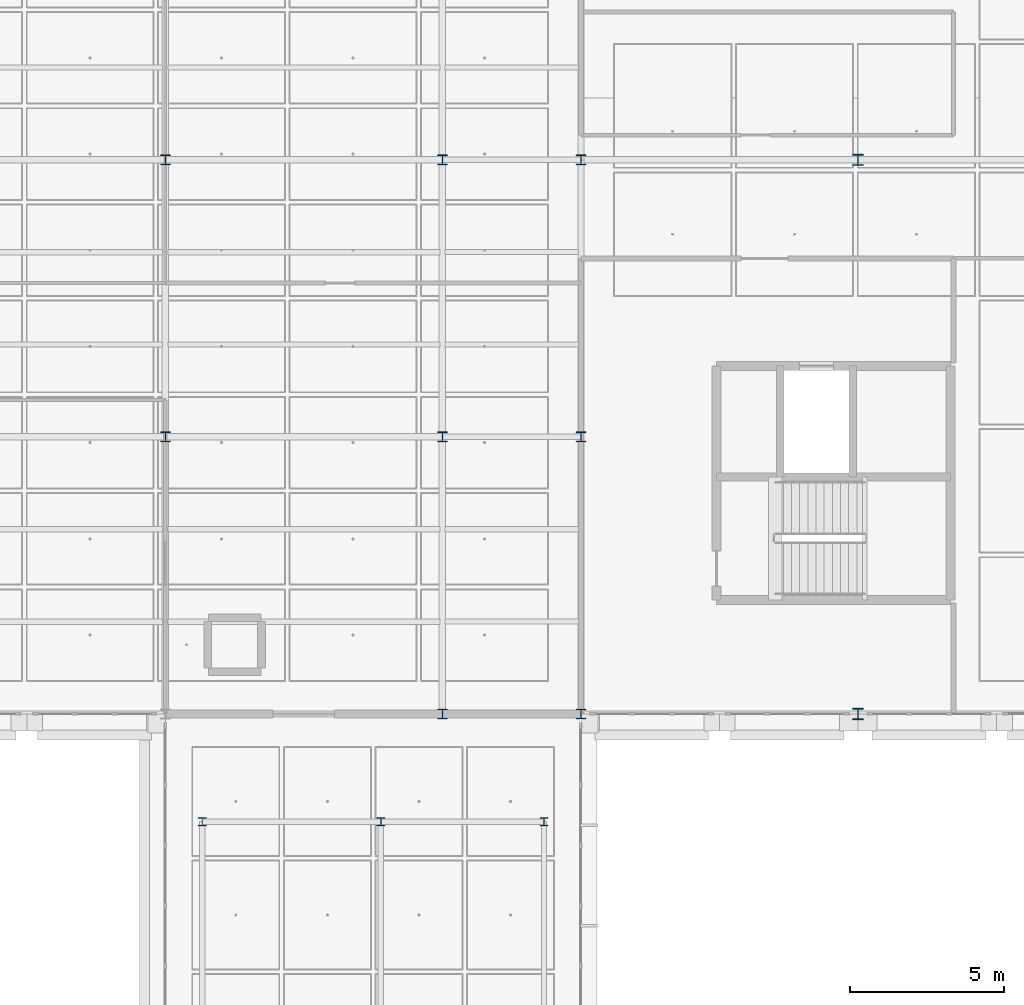
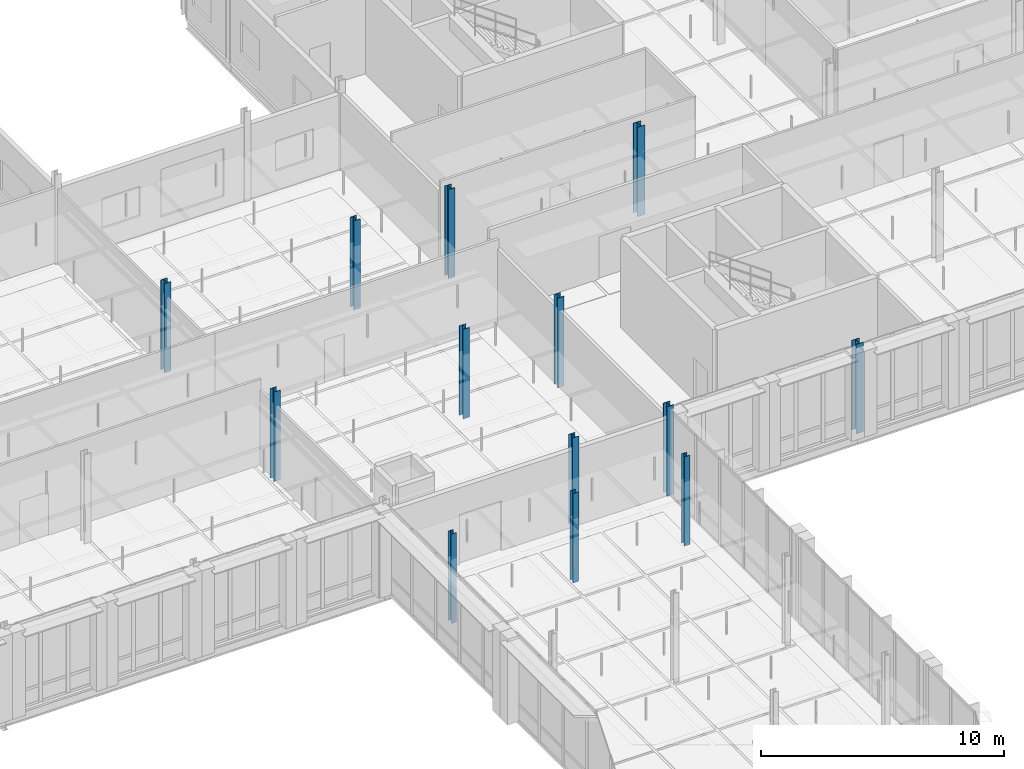
# One storey, part 16 of 130: 13 columns.
"""IFC4 building model written with IfcOpenShell, lengths in metres."""

from ifc_helpers import new_model, si_unit, direction, frame, origin, origin_2d, place, context, subcontext, project, spatial, i_section, extrude, material, material_profile, profile_set, type_object, element, save


model = new_model("IFC4")

# Units and contexts
model_context = context("Model", 3, precision=1e-05, world=origin(), true_north=direction((0.0, 1.0)))
body_context = subcontext(model_context, "Body", "Model", "MODEL_VIEW")
ifc_project = project(units=[si_unit("LENGTHUNIT", "METRE"), si_unit("AREAUNIT", "SQUARE_METRE"), si_unit("VOLUMEUNIT", "CUBIC_METRE"), si_unit("PLANEANGLEUNIT", "RADIAN"), si_unit("MASSUNIT", "GRAM", prefix="KILO"), si_unit("THERMODYNAMICTEMPERATUREUNIT", "KELVIN"), si_unit("POWERUNIT", "WATT")], contexts=[model_context])

# Site, building, storey
site_placement = place(None, origin())
site = spatial("IfcSite", under=ifc_project, at=site_placement, CompositionType="ELEMENT")
building_placement = place(site_placement, origin())
building = spatial("IfcBuilding", under=site, at=building_placement, Name="Tallowbark Science Centre", CompositionType="ELEMENT")
storey_placement = place(building_placement, frame((0.0, 0.0, 5.39990234375)))
storey = spatial("IfcBuildingStorey", under=building, at=storey_placement, Name="L01", CompositionType="ELEMENT", Elevation=5.39990234375)

# Columns
ifc_material = material(Name="Structural Steel Grade 300PLUS (300 MPa)", Category="steel")
ifc_material_profile_1 = material_profile(ifc_material, i_section(OverallWidth=0.256103515625, OverallDepth=0.260009765625, WebThickness=0.010498046875, FlangeThickness=0.017333984375, FilletRadius=0.013916015625, at=origin_2d()), Name="250UC89.5")
ifc_profile_set_1 = profile_set([ifc_material_profile_1], Name="Structural Steel Grade 300PLUS (300 MPa)")
column_type_1 = type_object("IfcColumnType", Name="COL-UC250A", PredefinedType="COLUMN", material=ifc_profile_set_1)
for number, where, z_axis, x_axis, name in (
    (1, (100.199951171875, 68.5, 0.0), (0.0, 0.0, 1.0), (1.0, 0.0, 0.0), "Column LNK-0_3 L01"),
    (2, (106.0, 68.5, 0.0), (0.0, 0.0, 1.0), (1.0, 0.0, 0.0), "Column LNK-1_3 L01"),
    (3, (111.300048828125, 68.5, 0.0), (0.0, 0.0, 1.0), (1.0, 0.0, 0.0), "Column LNK-2_3 L01"),
):
    element("IfcColumn", number, at=place(storey_placement, frame(where, z_axis=z_axis, x_axis=x_axis)), inside=storey, type_object=column_type_1, Name=name, PredefinedType="COLUMN", context=body_context, shape_type="SweptSolid", body=[
        extrude(i_section(OverallWidth=0.256103515625, OverallDepth=0.260009765625, WebThickness=0.010498046875, FlangeThickness=0.017333984375, FilletRadius=0.013916015625, at=origin_2d()), origin(), (0.0, 0.0, 1.0), 4.5),
    ])
ifc_material_profile_2 = material_profile(ifc_material, i_section(OverallWidth=0.30908203125, OverallDepth=0.320556640625, WebThickness=0.013916015625, FlangeThickness=0.021728515625, FilletRadius=0.0166015625, at=origin_2d()), Name="310UC137")
ifc_profile_set_2 = profile_set([ifc_material_profile_2], Name="Structural Steel Grade 300PLUS (300 MPa)")
column_type_2 = type_object("IfcColumnType", Name="COL-UC310B", PredefinedType="COLUMN", material=ifc_profile_set_2)
for number, where, z_axis, x_axis, name in (
    (4, (99.0, 81.0, 0.0), (0.0, 0.0, 1.0), (1.0, 0.0, 0.0), "Column LAB-6_1 L01"),
    (5, (99.0, 90.0, 0.0), (0.0, 0.0, 1.0), (1.0, 0.0, 0.0), "Column LAB-6_2 L01"),
    (6, (108.0, 72.0, 0.0), (0.0, 0.0, 1.0), (1.0, 0.0, 0.0), "Column LAB-7_0 L01"),
    (7, (108.0, 81.0, 0.0), (0.0, 0.0, 1.0), (1.0, 0.0, 0.0), "Column LAB-7_1 L01"),
    (8, (108.0, 90.0, 0.0), (0.0, 0.0, 1.0), (1.0, 0.0, 0.0), "Column LAB-7_2 L01"),
    (9, (112.5, 72.0, 0.0), (0.0, 0.0, 1.0), (1.0, 0.0, 0.0), "Column LAB-8_0 L01"),
    (10, (112.5, 81.0, 0.0), (0.0, 0.0, 1.0), (1.0, 0.0, 0.0), "Column LAB-8_1 L01"),
    (11, (112.5, 90.0, 0.0), (0.0, 0.0, 1.0), (1.0, 0.0, 0.0), "Column LAB-8_2 L01"),
):
    element("IfcColumn", number, at=place(storey_placement, frame(where, z_axis=z_axis, x_axis=x_axis)), inside=storey, type_object=column_type_2, Name=name, PredefinedType="COLUMN", context=body_context, shape_type="SweptSolid", body=[
        extrude(i_section(OverallWidth=0.30908203125, OverallDepth=0.320556640625, WebThickness=0.013916015625, FlangeThickness=0.021728515625, FilletRadius=0.0166015625, at=origin_2d()), origin(), (0.0, 0.0, 1.0), 4.5),
    ])
ifc_material_profile_3 = material_profile(ifc_material, i_section(OverallWidth=0.35009765625, OverallDepth=0.35888671875, WebThickness=0.01611328125, FlangeThickness=0.02392578125, FilletRadius=0.013916015625, at=origin_2d()), Name="350WC197")
ifc_profile_set_3 = profile_set([ifc_material_profile_3], Name="Structural Steel Grade 300PLUS (300 MPa)")
column_type_3 = type_object("IfcColumnType", Name="COL-WC350", PredefinedType="COLUMN", material=ifc_profile_set_3)
for number, where, z_axis, x_axis, name in (
    (12, (121.5, 72.0, 0.0), (0.0, 0.0, 1.0), (1.0, 0.0, 0.0), "Column OBS-1_0 L01"),
    (13, (121.5, 90.0, 0.0), (0.0, 0.0, 1.0), (1.0, 0.0, 0.0), "Column OBS-1_2 L01"),
):
    element("IfcColumn", number, at=place(storey_placement, frame(where, z_axis=z_axis, x_axis=x_axis)), inside=storey, type_object=column_type_3, Name=name, PredefinedType="COLUMN", context=body_context, shape_type="SweptSolid", body=[
        extrude(i_section(OverallWidth=0.35009765625, OverallDepth=0.35888671875, WebThickness=0.01611328125, FlangeThickness=0.02392578125, FilletRadius=0.013916015625, at=origin_2d()), origin(), (0.0, 0.0, 1.0), 4.5),
    ])

save(model, "model.ifc")
